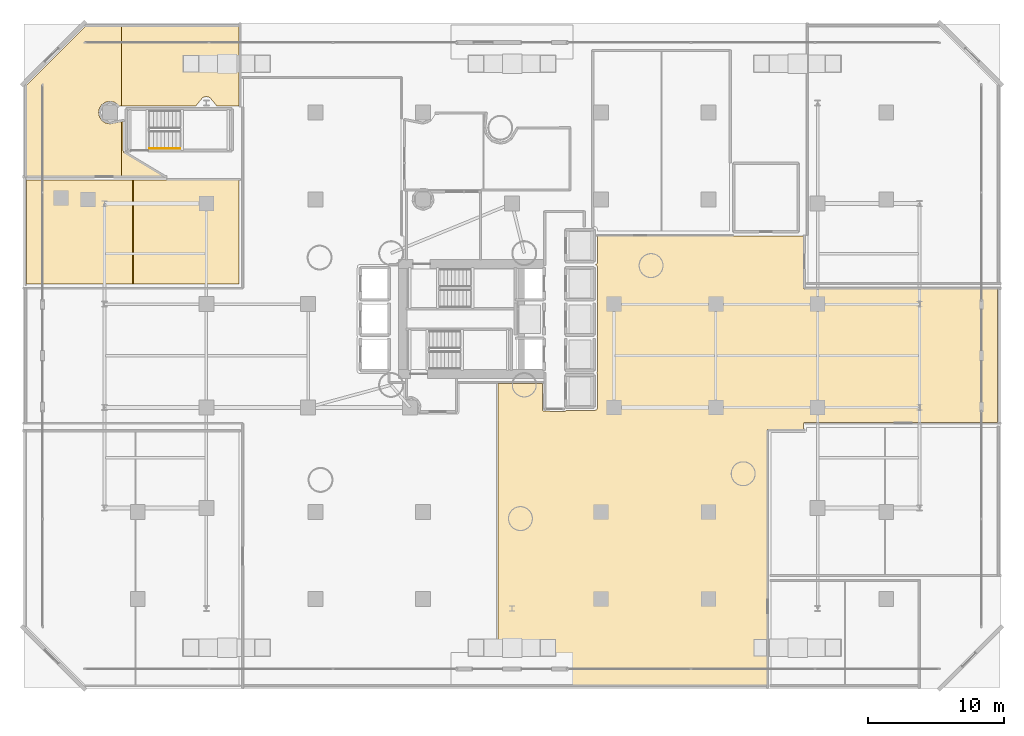
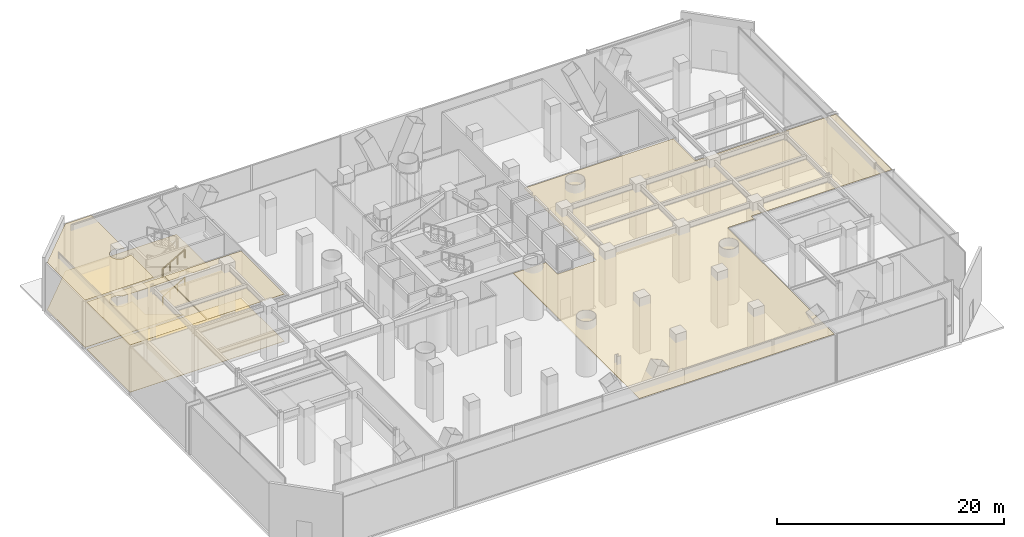
# One storey, part 37 of 40: 6 coverings, 2 railings.
"""IFC4 building model written with IfcOpenShell, lengths in metres."""

from ifc_helpers import new_model, si_unit, direction, frame, origin, origin_2d, place, context, subcontext, project, spatial, polyline, rectangle, outline, extrude, material, layer, layer_set, type_object, element, save


model = new_model("IFC4")

# Units and contexts
model_context = context("Model", 3, precision=1e-05, world=origin(), true_north=direction((0.0, 1.0)))
body_context = subcontext(model_context, "Body", "Model", "MODEL_VIEW")
ifc_project = project(units=[si_unit("LENGTHUNIT", "METRE"), si_unit("AREAUNIT", "SQUARE_METRE"), si_unit("VOLUMEUNIT", "CUBIC_METRE"), si_unit("PLANEANGLEUNIT", "RADIAN"), si_unit("MASSUNIT", "GRAM", prefix="KILO")], contexts=[model_context])

# Site, building, storey
site_placement = place(None, origin())
site = spatial("IfcSite", under=ifc_project, at=site_placement, CompositionType="ELEMENT")
building_placement = place(site_placement, origin())
building = spatial("IfcBuilding", under=site, at=building_placement, Name="Qianvela Tower", CompositionType="ELEMENT")
storey_placement = place(building_placement, origin())
storey = spatial("IfcBuildingStorey", under=building, at=storey_placement, Name="L00", CompositionType="ELEMENT", Elevation=0.0)

# Coverings
ifc_material_1 = material(Name="Perforated Mineral Acoustic Ceiling Tile")
ifc_layer_1 = layer(ifc_material_1, 0.02490234375)
ifc_layer_set_1 = layer_set([ifc_layer_1], Name="Perforated Mineral Acoustic Ceiling Tile")
covering_type_1 = type_object("IfcCoveringType", Name="COV-CEIL-ACOUSTIC-25", PredefinedType="CEILING", material=ifc_layer_set_1)
covering_1_placement = place(storey_placement, frame((0.0, 0.0, 5.074951171875)))
element("IfcCovering", 1, at=covering_1_placement, inside=storey, type_object=covering_type_1, Name="L00 Acoustic Ceiling Bay 1 L00 Protected Exit Passageway North-West", PredefinedType="CEILING", context=body_context, shape_type="SweptSolid", body=[
    extrude(outline(polyline([(7.89208984375, 43.0703125), (7.89990234375, 43.070068359375), (7.90771484375, 43.0703125), (7.91552734375, 43.071533203125), (8.7451171875, 43.236572265625), (8.7451171875, 39.22998046875), (1.760009765625, 39.22998046875), (1.760009765625, 45.892333984375), (6.107666015625, 50.239990234375), (8.7451171875, 50.239990234375), (8.7451171875, 44.380126953125), (8.5732421875, 44.380126953125), (8.373291015625, 44.580078125), (8.367431640625, 44.58544921875), (8.361083984375, 44.590087890625), (8.3544921875, 44.59423828125), (8.224609375, 44.66357421875), (8.217529296875, 44.666748046875), (8.210205078125, 44.66943359375), (8.20263671875, 44.67138671875), (7.91552734375, 44.728515625), (7.90771484375, 44.7294921875), (7.89990234375, 44.72998046875), (7.89208984375, 44.7294921875), (7.884521484375, 44.728515625), (7.597412109375, 44.67138671875), (7.58984375, 44.66943359375), (7.58251953125, 44.666748046875), (7.5751953125, 44.66357421875), (7.568603515625, 44.659423828125), (7.3251953125, 44.496826171875), (7.31884765625, 44.4921875), (7.31298828125, 44.48681640625), (7.307861328125, 44.481201171875), (7.30322265625, 44.474853515625), (7.140625, 44.2314453125), (7.136474609375, 44.224609375), (7.13330078125, 44.217529296875), (7.130615234375, 44.210205078125), (7.128662109375, 44.20263671875), (7.071533203125, 43.91552734375), (7.0703125, 43.90771484375), (7.070068359375, 43.89990234375), (7.0703125, 43.89208984375), (7.071533203125, 43.884521484375), (7.128662109375, 43.597412109375), (7.130615234375, 43.58984375), (7.13330078125, 43.58251953125), (7.136474609375, 43.5751953125), (7.140625, 43.568603515625), (7.30322265625, 43.3251953125), (7.307861328125, 43.31884765625), (7.31298828125, 43.31298828125), (7.31884765625, 43.307861328125), (7.3251953125, 43.30322265625), (7.568603515625, 43.140625), (7.5751953125, 43.136474609375), (7.58251953125, 43.13330078125), (7.58984375, 43.130615234375), (7.597412109375, 43.128662109375), (7.884521484375, 43.071533203125), (7.89208984375, 43.0703125)])), origin(), (0.0, 0.0, 1.0), 0.025146484375),
])
covering_2_placement = place(storey_placement, frame((0.0, 0.0, 5.074951171875)))
element("IfcCovering", 2, at=covering_2_placement, inside=storey, type_object=covering_type_1, Name="L00 Acoustic Ceiling Bay 2 Street Concourse", PredefinedType="CEILING", context=body_context, shape_type="SweptSolid", body=[
    extrude(outline(polyline([(39.747802734375, 23.969970703125), (39.738037109375, 22.05078125), (39.73828125, 22.04296875), (39.739501953125, 22.03515625), (39.741455078125, 22.02734375), (39.743896484375, 22.02001953125), (39.747314453125, 22.0126953125), (39.77490234375, 21.9609375), (39.77880859375, 21.954345703125), (39.783447265625, 21.947998046875), (39.78857421875, 21.942138671875), (39.79443359375, 21.93701171875), (39.80078125, 21.93212890625), (39.807373046875, 21.92822265625), (39.814453125, 21.9248046875), (39.82177734375, 21.922119140625), (39.829345703125, 21.920166015625), (39.837158203125, 21.9189453125), (39.844970703125, 21.91845703125), (41.359375, 21.907958984375), (41.36669921875, 21.908203125), (41.373779296875, 21.9091796875), (41.380615234375, 21.91064453125), (41.3876953125, 21.912841796875), (41.394287109375, 21.915771484375), (41.442138671875, 21.938232421875), (41.448974609375, 21.94189453125), (41.455322265625, 21.9462890625), (41.461181640625, 21.951171875), (41.466796875, 21.95654296875), (41.4716796875, 21.96240234375), (41.47607421875, 21.96875), (41.479736328125, 21.9755859375), (41.481689453125, 21.97998046875), (43.580078125, 21.97998046875), (43.587890625, 21.98046875), (43.595703125, 21.9814453125), (43.603271484375, 21.9833984375), (43.610595703125, 21.986083984375), (43.709716796875, 22.027099609375), (43.716796875, 22.030517578125), (43.723388671875, 22.034423828125), (43.729736328125, 22.039306640625), (43.735595703125, 22.04443359375), (43.74072265625, 22.05029296875), (43.74560546875, 22.056640625), (43.74951171875, 22.063232421875), (43.7529296875, 22.0703125), (43.7939453125, 22.16943359375), (43.796630859375, 22.1767578125), (43.798583984375, 22.184326171875), (43.799560546875, 22.192138671875), (43.800048828125, 22.199951171875), (43.800048828125, 24.60009765625), (43.7998046875, 24.60693359375), (43.798828125, 24.61376953125), (43.79736328125, 24.620361328125), (43.79541015625, 24.626953125), (43.763427734375, 24.7158203125), (43.760498046875, 24.722900390625), (43.7568359375, 24.72998046875), (43.75244140625, 24.736572265625), (43.74755859375, 24.742431640625), (43.741943359375, 24.748046875), (43.73583984375, 24.753173828125), (43.735107421875, 24.753662109375), (43.7783203125, 24.811767578125), (43.782958984375, 24.81884765625), (43.786865234375, 24.826416015625), (43.789794921875, 24.834228515625), (43.7919921875, 24.84228515625), (43.79345703125, 24.8505859375), (43.7939453125, 24.859130859375), (43.800048828125, 27.2998046875), (43.799560546875, 27.307861328125), (43.79833984375, 27.315673828125), (43.79638671875, 27.323486328125), (43.793701171875, 27.3310546875), (43.7646484375, 27.39990234375), (43.793701171875, 27.468994140625), (43.79638671875, 27.476318359375), (43.79833984375, 27.484130859375), (43.799560546875, 27.491943359375), (43.800048828125, 27.5), (43.800048828125, 29.89990234375), (43.799560546875, 29.907958984375), (43.79833984375, 29.915771484375), (43.79638671875, 29.923583984375), (43.793701171875, 29.93115234375), (43.7646484375, 30.0), (43.793701171875, 30.06884765625), (43.79638671875, 30.076416015625), (43.79833984375, 30.084228515625), (43.799560546875, 30.092041015625), (43.800048828125, 30.10009765625), (43.79736328125, 32.52734375), (43.796875, 32.535888671875), (43.79541015625, 32.54443359375), (43.793212890625, 32.552734375), (43.7900390625, 32.560791015625), (43.785888671875, 32.568359375), (43.7373046875, 32.6494140625), (43.733154296875, 32.656005859375), (43.72802734375, 32.661865234375), (43.722412109375, 32.66748046875), (43.716552734375, 32.672607421875), (43.7099609375, 32.6767578125), (43.702880859375, 32.680419921875), (43.69580078125, 32.68359375), (43.646728515625, 32.701171875), (43.709716796875, 32.72705078125), (43.716796875, 32.73046875), (43.723388671875, 32.734619140625), (43.729736328125, 32.7392578125), (43.735595703125, 32.744384765625), (43.74072265625, 32.750244140625), (43.74560546875, 32.756591796875), (43.74951171875, 32.76318359375), (43.7529296875, 32.7705078125), (43.7939453125, 32.869384765625), (43.796630859375, 32.876708984375), (43.798583984375, 32.884521484375), (43.799560546875, 32.89208984375), (43.800048828125, 32.89990234375), (43.800048828125, 34.800048828125), (58.969970703125, 34.800048828125), (58.969970703125, 31.0), (58.970458984375, 30.9921875), (58.971435546875, 30.984375), (58.973388671875, 30.976806640625), (58.97607421875, 30.969482421875), (58.9794921875, 30.96240234375), (58.9833984375, 30.95556640625), (58.98828125, 30.94921875), (58.993408203125, 30.943359375), (58.999267578125, 30.938232421875), (59.005615234375, 30.93359375), (59.01220703125, 30.929443359375), (59.019287109375, 30.926025390625), (59.02685546875, 30.92333984375), (59.034423828125, 30.92138671875), (59.042236328125, 30.92041015625), (59.050048828125, 30.919921875), (73.239990234375, 30.919921875), (73.239990234375, 21.080078125), (59.050048828125, 21.080078125), (59.042236328125, 21.07958984375), (59.034423828125, 21.07861328125), (59.02685546875, 21.07666015625), (59.019287109375, 21.073974609375), (59.01220703125, 21.070556640625), (59.005615234375, 21.06640625), (58.999267578125, 21.061767578125), (58.993408203125, 21.056640625), (58.98828125, 21.05078125), (58.9833984375, 21.04443359375), (58.9794921875, 21.03759765625), (58.97607421875, 21.030517578125), (58.973388671875, 21.023193359375), (58.971435546875, 21.015625), (58.970458984375, 21.0078125), (58.969970703125, 21.0), (58.969970703125, 20.580078125), (56.35009765625, 20.580078125), (56.34228515625, 20.57958984375), (56.33447265625, 20.57861328125), (56.326904296875, 20.57666015625), (56.3193359375, 20.573974609375), (56.312255859375, 20.570556640625), (56.3056640625, 20.56640625), (56.29931640625, 20.561767578125), (56.29345703125, 20.556640625), (56.2880859375, 20.55078125), (56.283447265625, 20.54443359375), (56.279296875, 20.53759765625), (56.276123046875, 20.530517578125), (56.2734375, 20.523193359375), (56.271484375, 20.515625), (56.2705078125, 20.5078125), (56.27001953125, 20.5), (56.27001953125, 1.760009765625), (36.454345703125, 1.760009765625), (36.454345703125, 23.969970703125), (39.747802734375, 23.969970703125)])), origin(), (0.0, 0.0, 1.0), 0.025146484375),
])
covering_3_placement = place(storey_placement, frame((0.0, 0.0, 5.074951171875)))
element("IfcCovering", 3, at=covering_3_placement, inside=storey, type_object=covering_type_1, Name="L00 Acoustic Ceiling Bay 1 Student Residence Concierge and Mail Hall", PredefinedType="CEILING", context=body_context, shape_type="SweptSolid", body=[
    extrude(outline(polyline([(1.760009765625, 38.919921875), (9.550048828125, 38.919921875), (9.550048828125, 31.280029296875), (1.760009765625, 31.280029296875), (1.760009765625, 38.919921875)])), origin(), (0.0, 0.0, 1.0), 0.025146484375),
])
covering_4_placement = place(storey_placement, frame((0.0, 0.0, 5.074951171875)))
element("IfcCovering", 4, at=covering_4_placement, inside=storey, type_object=covering_type_1, Name="L00 Acoustic Ceiling Bay 2 Student Residence Concierge and Mail Hall", PredefinedType="CEILING", context=body_context, shape_type="SweptSolid", body=[
    extrude(outline(polyline([(17.419921875, 38.919921875), (17.419921875, 31.280029296875), (9.6298828125, 31.280029296875), (9.6298828125, 38.919921875), (17.419921875, 38.919921875)])), origin(), (0.0, 0.0, 1.0), 0.025146484375),
])
ifc_material_2 = material(Name="Honed Stone Terrazzo Flooring", Category="masonry")
ifc_layer_2 = layer(ifc_material_2, 0.030029296875)
ifc_layer_set_2 = layer_set([ifc_layer_2], Name="Honed Stone Terrazzo Flooring")
covering_type_2 = type_object("IfcCoveringType", Name="COV-FLOOR-TERRAZZO-30", PredefinedType="FLOORING", material=ifc_layer_set_2)
covering_5_placement = place(storey_placement, origin())
element("IfcCovering", 5, at=covering_5_placement, inside=storey, type_object=covering_type_2, Name="L00 Finish Flooring L00 Protected Exit Passageway North-West", PredefinedType="FLOORING", context=body_context, shape_type="SweptSolid", body=[
    extrude(outline(polyline([(7.884521484375, 43.071533203125), (7.89208984375, 43.0703125), (7.89990234375, 43.070068359375), (7.90771484375, 43.0703125), (7.91552734375, 43.071533203125), (8.8798828125, 43.263427734375), (8.8798828125, 41.10009765625), (8.880615234375, 41.0908203125), (8.882080078125, 41.081787109375), (8.884765625, 41.072998046875), (8.91650390625, 40.984130859375), (8.91943359375, 40.97705078125), (8.923095703125, 40.97021484375), (8.927490234375, 40.96337890625), (8.9326171875, 40.95751953125), (8.93798828125, 40.951904296875), (8.944091796875, 40.947021484375), (8.95068359375, 40.942626953125), (11.807861328125, 39.22998046875), (1.760009765625, 39.22998046875), (1.760009765625, 45.892333984375), (6.107666015625, 50.239990234375), (17.419921875, 50.239990234375), (17.419921875, 44.377197265625), (15.781005859375, 44.377685546875), (15.2841796875, 44.9833984375), (15.27880859375, 44.9892578125), (15.27294921875, 44.994384765625), (15.2666015625, 44.9990234375), (15.260009765625, 45.003173828125), (15.252685546875, 45.006591796875), (15.24560546875, 45.009033203125), (15.023193359375, 45.07666015625), (15.015625, 45.07861328125), (15.0078125, 45.07958984375), (15.0, 45.080078125), (14.9921875, 45.07958984375), (14.984375, 45.07861328125), (14.976806640625, 45.07666015625), (14.75439453125, 45.009033203125), (14.747314453125, 45.006591796875), (14.739990234375, 45.003173828125), (14.7333984375, 44.9990234375), (14.72705078125, 44.994384765625), (14.72119140625, 44.9892578125), (14.7158203125, 44.9833984375), (14.21923828125, 44.378173828125), (8.5732421875, 44.380126953125), (8.373291015625, 44.580078125), (8.367431640625, 44.58544921875), (8.361083984375, 44.590087890625), (8.3544921875, 44.59423828125), (8.224609375, 44.66357421875), (8.217529296875, 44.666748046875), (8.210205078125, 44.66943359375), (8.20263671875, 44.67138671875), (7.91552734375, 44.728515625), (7.90771484375, 44.7294921875), (7.89990234375, 44.72998046875), (7.89208984375, 44.7294921875), (7.884521484375, 44.728515625), (7.597412109375, 44.67138671875), (7.58984375, 44.66943359375), (7.58251953125, 44.666748046875), (7.5751953125, 44.66357421875), (7.568603515625, 44.659423828125), (7.3251953125, 44.496826171875), (7.31884765625, 44.4921875), (7.31298828125, 44.48681640625), (7.307861328125, 44.481201171875), (7.30322265625, 44.474853515625), (7.140625, 44.2314453125), (7.136474609375, 44.224609375), (7.13330078125, 44.217529296875), (7.130615234375, 44.210205078125), (7.128662109375, 44.20263671875), (7.071533203125, 43.91552734375), (7.0703125, 43.90771484375), (7.070068359375, 43.89990234375), (7.0703125, 43.89208984375), (7.071533203125, 43.884521484375), (7.128662109375, 43.597412109375), (7.130615234375, 43.58984375), (7.13330078125, 43.58251953125), (7.136474609375, 43.5751953125), (7.140625, 43.568603515625), (7.30322265625, 43.3251953125), (7.307861328125, 43.31884765625), (7.31298828125, 43.31298828125), (7.31884765625, 43.307861328125), (7.3251953125, 43.30322265625), (7.568603515625, 43.140625), (7.5751953125, 43.136474609375), (7.58251953125, 43.13330078125), (7.58984375, 43.130615234375), (7.597412109375, 43.128662109375), (7.884521484375, 43.071533203125)])), origin(), (0.0, 0.0, 1.0), 0.030029296875),
])
covering_6_placement = place(storey_placement, origin())
element("IfcCovering", 6, at=covering_6_placement, inside=storey, type_object=covering_type_2, Name="L00 Finish Flooring Student Residence Concierge and Mail Hall", PredefinedType="FLOORING", context=body_context, shape_type="SweptSolid", body=[
    extrude(outline(polyline([(1.760009765625, 31.280029296875), (1.760009765625, 38.919921875), (17.419921875, 38.919921875), (17.419921875, 31.280029296875), (1.760009765625, 31.280029296875)])), origin(), (0.0, 0.0, 1.0), 0.030029296875),
])

# Railings
ifc_material_3 = material(Name="Brushed Stainless Steel 304", Category="steel")
railing_type = type_object("IfcRailingType", Name="RL-STAIR-HANDRAIL-900", PredefinedType="HANDRAIL", material=ifc_material_3)
for number, where, name in (
    (7, (10.820068359375, 41.25, 0.166748046875), "L00 ST-3 stair handrail 1"),
    (8, (10.820068359375, 41.25, 3.166748046875), "L00 ST-3 stair handrail 3"),
):
    element("IfcRailing", number, at=place(storey_placement, frame(where)), inside=storey, type_object=railing_type, Name=name, PredefinedType="HANDRAIL", context=body_context, shape_type="SweptSolid", body=[
        extrude(rectangle(XDim=0.050048828125, YDim=0.0400390625, at=origin_2d()), frame((0.0, 0.0, 0.8798828125), z_axis=(0.859305625298, 0.0, 0.511462454469), x_axis=(0.0, 1.0, 0.0)), (0.0, 0.0, 1.0), 2.606689453125),
        extrude(rectangle(XDim=0.050048828125, YDim=0.050048828125, at=origin_2d()), origin(), (0.0, 0.0, 1.0), 0.85986328125),
        extrude(rectangle(XDim=0.050048828125, YDim=0.050048828125, at=origin_2d()), frame((0.74658203125, 0.0, 0.4443359375)), (0.0, 0.0, 1.0), 0.85986328125),
        extrude(rectangle(XDim=0.050048828125, YDim=0.050048828125, at=origin_2d()), frame((1.493408203125, 0.0, 0.888916015625)), (0.0, 0.0, 1.0), 0.85986328125),
        extrude(rectangle(XDim=0.050048828125, YDim=0.050048828125, at=origin_2d()), frame((2.239990234375, 0.0, 1.333251953125)), (0.0, 0.0, 1.0), 0.85986328125),
    ])

save(model, "model.ifc")
